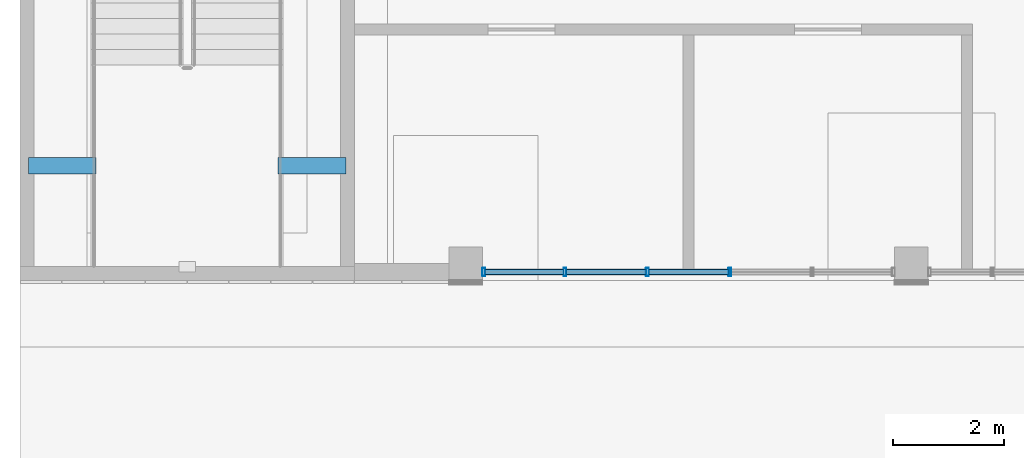
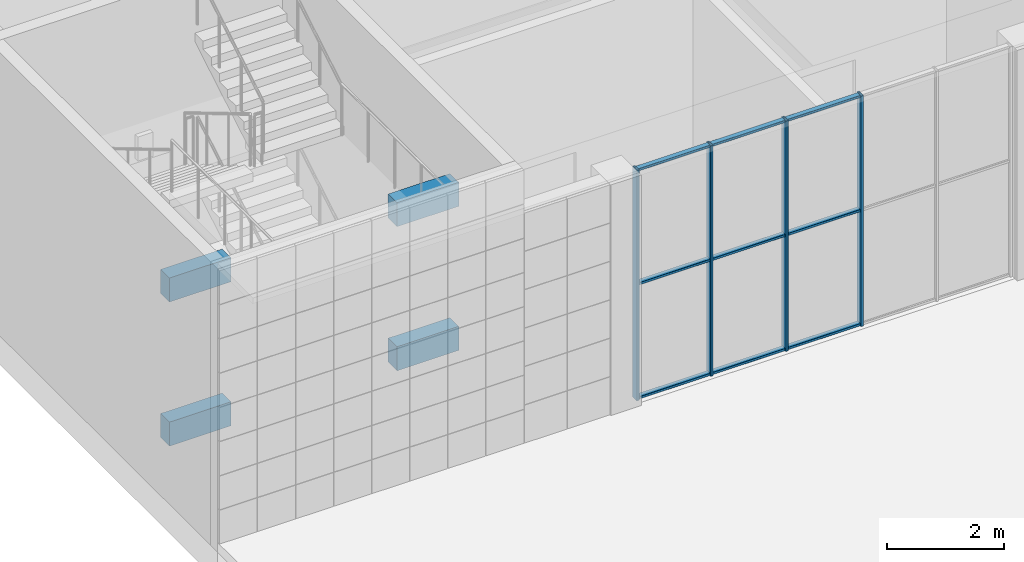
# One storey, part 11 of 125: 13 members, 4 beams, 1 element without a shape of its own.
"""IFC4 building model written with IfcOpenShell, lengths in metres."""

from ifc_helpers import new_model, si_unit, direction, frame, origin, origin_2d, place, context, subcontext, project, spatial, rectangle, hollow_rectangle, extrude, material, material_profile, profile_set, type_object, element, aggregate, save


model = new_model("IFC4")

# Units and contexts
model_context = context("Model", 3, precision=1e-05, world=origin(), true_north=direction((0.0, 1.0)))
body_context = subcontext(model_context, "Body", "Model", "MODEL_VIEW")
ifc_project = project(units=[si_unit("LENGTHUNIT", "METRE"), si_unit("AREAUNIT", "SQUARE_METRE"), si_unit("VOLUMEUNIT", "CUBIC_METRE"), si_unit("PLANEANGLEUNIT", "RADIAN"), si_unit("MASSUNIT", "GRAM", prefix="KILO")], contexts=[model_context])

# Site, building, storey
site_placement = place(None, origin())
site = spatial("IfcSite", under=ifc_project, at=site_placement, CompositionType="ELEMENT")
building_placement = place(site_placement, origin())
building = spatial("IfcBuilding", under=site, at=building_placement, Name="Sun Court Science Centre", CompositionType="ELEMENT")
storey_placement = place(building_placement, origin())
storey = spatial("IfcBuildingStorey", under=building, at=storey_placement, Name="L00", CompositionType="ELEMENT", Elevation=0.0)

# Curtain wall, members
ifc_material_1 = material(Name="Aluminium EN AW-6063 T6", Category="aluminium")
curtain_wall_type = type_object("IfcCurtainWallType", Name="Foyer curtain wall 1500", PredefinedType="NOTDEFINED", material=ifc_material_1)
curtain_wall_placement = place(storey_placement, origin())
curtain_wall = element("IfcCurtainWall", 1, at=curtain_wall_placement, inside=storey, type_object=curtain_wall_type, Name="Curtain wall V3 S L00 02", PredefinedType="NOTDEFINED")
ifc_material_2 = material(Name="Aluminium EN AW-6063 T6", Category="aluminium")
ifc_material_profile_1 = material_profile(ifc_material_2, hollow_rectangle(XDim=0.050048828125, YDim=0.14990234375, WallThickness=0.00390625, InnerFilletRadius=0.00390625, OuterFilletRadius=0.006103515625, at=origin_2d()), Name="AL 50x150x4")
ifc_profile_set_1 = profile_set([ifc_material_profile_1], Name="Aluminium EN AW-6063 T6")
member_type_1 = type_object("IfcMemberType", Name="Curtain wall mullion AL 50x150", PredefinedType="MULLION", material=ifc_profile_set_1)
member_1_placement = place(storey_placement, frame((8.324951171875, 40.14990234375, 0.0), z_axis=(0.0, 0.0, 1.0), x_axis=(-1.0, 0.0, 0.0)))
member_1 = element("IfcMember", 2, at=member_1_placement, type_object=member_type_1, Name="CW1-04 mullion 6", PredefinedType="MULLION", context=body_context, shape_type="SweptSolid", body=[
    extrude(hollow_rectangle(XDim=0.050048828125, YDim=0.14990234375, WallThickness=0.00390625, InnerFilletRadius=0.00390625, OuterFilletRadius=0.006103515625, at=origin_2d()), origin(), (0.0, 0.0, 1.0), 4.800048828125),
])
member_2_placement = place(storey_placement, frame((9.780029296875, 40.14990234375, 0.0), z_axis=(0.0, 0.0, 1.0), x_axis=(-1.0, 0.0, 0.0)))
member_2 = element("IfcMember", 3, at=member_2_placement, type_object=member_type_1, Name="CW1-04 mullion 5", PredefinedType="MULLION", context=body_context, shape_type="SweptSolid", body=[
    extrude(hollow_rectangle(XDim=0.050048828125, YDim=0.14990234375, WallThickness=0.00390625, InnerFilletRadius=0.00390625, OuterFilletRadius=0.006103515625, at=origin_2d()), origin(), (0.0, 0.0, 1.0), 4.800048828125),
])
member_3_placement = place(storey_placement, frame((11.260009765625, 40.14990234375, 0.0), z_axis=(0.0, 0.0, 1.0), x_axis=(-1.0, 0.0, 0.0)))
member_3 = element("IfcMember", 4, at=member_3_placement, type_object=member_type_1, Name="CW1-04 mullion 4", PredefinedType="MULLION", context=body_context, shape_type="SweptSolid", body=[
    extrude(hollow_rectangle(XDim=0.050048828125, YDim=0.14990234375, WallThickness=0.00390625, InnerFilletRadius=0.00390625, OuterFilletRadius=0.006103515625, at=origin_2d()), origin(), (0.0, 0.0, 1.0), 4.800048828125),
])
member_4_placement = place(storey_placement, frame((12.739990234375, 40.14990234375, 0.0), z_axis=(0.0, 0.0, 1.0), x_axis=(-1.0, 0.0, 0.0)))
member_4 = element("IfcMember", 5, at=member_4_placement, type_object=member_type_1, Name="CW1-04 mullion 3", PredefinedType="MULLION", context=body_context, shape_type="SweptSolid", body=[
    extrude(hollow_rectangle(XDim=0.050048828125, YDim=0.14990234375, WallThickness=0.00390625, InnerFilletRadius=0.00390625, OuterFilletRadius=0.006103515625, at=origin_2d()), origin(), (0.0, 0.0, 1.0), 4.800048828125),
])
ifc_material_3 = material(Name="Aluminium EN AW-6063 T6", Category="aluminium")
ifc_material_profile_2 = material_profile(ifc_material_3, hollow_rectangle(XDim=0.050048828125, YDim=0.10009765625, WallThickness=0.00390625, InnerFilletRadius=0.00390625, OuterFilletRadius=0.006103515625, at=origin_2d()), Name="AL 50x100x4")
ifc_profile_set_2 = profile_set([ifc_material_profile_2], Name="Aluminium EN AW-6063 T6")
member_type_2 = type_object("IfcMemberType", Name="Curtain wall transom AL 50x100", PredefinedType="USERDEFINED", material=ifc_profile_set_2)
member_5_placement = place(storey_placement, frame((9.7548828125, 40.14990234375, 0.02490234375), z_axis=(-1.0, 0.0, 0.0), x_axis=(0.0, 0.0, 1.0)))
member_5 = element("IfcMember", 6, at=member_5_placement, type_object=member_type_2, Name="CW1-04 transom 5.1", ObjectType="TRANSOM", PredefinedType="USERDEFINED", context=body_context, shape_type="SweptSolid", body=[
    extrude(hollow_rectangle(XDim=0.050048828125, YDim=0.10009765625, WallThickness=0.00390625, InnerFilletRadius=0.00390625, OuterFilletRadius=0.006103515625, at=origin_2d()), origin(), (0.0, 0.0, 1.0), 1.40478515625),
])
member_6_placement = place(storey_placement, frame((11.235107421875, 40.14990234375, 0.02490234375), z_axis=(-1.0, 0.0, 0.0), x_axis=(0.0, 0.0, 1.0)))
member_6 = element("IfcMember", 7, at=member_6_placement, type_object=member_type_2, Name="CW1-04 transom 4.1", ObjectType="TRANSOM", PredefinedType="USERDEFINED", context=body_context, shape_type="SweptSolid", body=[
    extrude(hollow_rectangle(XDim=0.050048828125, YDim=0.10009765625, WallThickness=0.00390625, InnerFilletRadius=0.00390625, OuterFilletRadius=0.006103515625, at=origin_2d()), origin(), (0.0, 0.0, 1.0), 1.43017578125),
])
member_7_placement = place(storey_placement, frame((12.715087890625, 40.14990234375, 0.02490234375), z_axis=(-1.0, 0.0, 0.0), x_axis=(0.0, 0.0, 1.0)))
member_7 = element("IfcMember", 8, at=member_7_placement, type_object=member_type_2, Name="CW1-04 transom 3.1", ObjectType="TRANSOM", PredefinedType="USERDEFINED", context=body_context, shape_type="SweptSolid", body=[
    extrude(hollow_rectangle(XDim=0.050048828125, YDim=0.10009765625, WallThickness=0.00390625, InnerFilletRadius=0.00390625, OuterFilletRadius=0.006103515625, at=origin_2d()), origin(), (0.0, 0.0, 1.0), 1.43017578125),
])
member_8_placement = place(storey_placement, frame((9.7548828125, 40.14990234375, 2.39990234375), z_axis=(-1.0, 0.0, 0.0), x_axis=(0.0, 0.0, 1.0)))
member_8 = element("IfcMember", 9, at=member_8_placement, type_object=member_type_2, Name="CW1-04 transom 5.2", ObjectType="TRANSOM", PredefinedType="USERDEFINED", context=body_context, shape_type="SweptSolid", body=[
    extrude(hollow_rectangle(XDim=0.050048828125, YDim=0.10009765625, WallThickness=0.00390625, InnerFilletRadius=0.00390625, OuterFilletRadius=0.006103515625, at=origin_2d()), origin(), (0.0, 0.0, 1.0), 1.40478515625),
])
member_9_placement = place(storey_placement, frame((11.235107421875, 40.14990234375, 2.39990234375), z_axis=(-1.0, 0.0, 0.0), x_axis=(0.0, 0.0, 1.0)))
member_9 = element("IfcMember", 10, at=member_9_placement, type_object=member_type_2, Name="CW1-04 transom 4.2", ObjectType="TRANSOM", PredefinedType="USERDEFINED", context=body_context, shape_type="SweptSolid", body=[
    extrude(hollow_rectangle(XDim=0.050048828125, YDim=0.10009765625, WallThickness=0.00390625, InnerFilletRadius=0.00390625, OuterFilletRadius=0.006103515625, at=origin_2d()), origin(), (0.0, 0.0, 1.0), 1.43017578125),
])
member_10_placement = place(storey_placement, frame((12.715087890625, 40.14990234375, 2.39990234375), z_axis=(-1.0, 0.0, 0.0), x_axis=(0.0, 0.0, 1.0)))
member_10 = element("IfcMember", 11, at=member_10_placement, type_object=member_type_2, Name="CW1-04 transom 3.2", ObjectType="TRANSOM", PredefinedType="USERDEFINED", context=body_context, shape_type="SweptSolid", body=[
    extrude(hollow_rectangle(XDim=0.050048828125, YDim=0.10009765625, WallThickness=0.00390625, InnerFilletRadius=0.00390625, OuterFilletRadius=0.006103515625, at=origin_2d()), origin(), (0.0, 0.0, 1.0), 1.43017578125),
])
member_11_placement = place(storey_placement, frame((9.7548828125, 40.14990234375, 4.77490234375), z_axis=(-1.0, 0.0, 0.0), x_axis=(0.0, 0.0, 1.0)))
member_11 = element("IfcMember", 12, at=member_11_placement, type_object=member_type_2, Name="CW1-04 transom 5.3", ObjectType="TRANSOM", PredefinedType="USERDEFINED", context=body_context, shape_type="SweptSolid", body=[
    extrude(hollow_rectangle(XDim=0.050048828125, YDim=0.10009765625, WallThickness=0.00390625, InnerFilletRadius=0.00390625, OuterFilletRadius=0.006103515625, at=origin_2d()), origin(), (0.0, 0.0, 1.0), 1.40478515625),
])
member_12_placement = place(storey_placement, frame((11.235107421875, 40.14990234375, 4.77490234375), z_axis=(-1.0, 0.0, 0.0), x_axis=(0.0, 0.0, 1.0)))
member_12 = element("IfcMember", 13, at=member_12_placement, type_object=member_type_2, Name="CW1-04 transom 4.3", ObjectType="TRANSOM", PredefinedType="USERDEFINED", context=body_context, shape_type="SweptSolid", body=[
    extrude(hollow_rectangle(XDim=0.050048828125, YDim=0.10009765625, WallThickness=0.00390625, InnerFilletRadius=0.00390625, OuterFilletRadius=0.006103515625, at=origin_2d()), origin(), (0.0, 0.0, 1.0), 1.43017578125),
])
member_13_placement = place(storey_placement, frame((12.715087890625, 40.14990234375, 4.77490234375), z_axis=(-1.0, 0.0, 0.0), x_axis=(0.0, 0.0, 1.0)))
member_13 = element("IfcMember", 14, at=member_13_placement, type_object=member_type_2, Name="CW1-04 transom 3.3", ObjectType="TRANSOM", PredefinedType="USERDEFINED", context=body_context, shape_type="SweptSolid", body=[
    extrude(hollow_rectangle(XDim=0.050048828125, YDim=0.10009765625, WallThickness=0.00390625, InnerFilletRadius=0.00390625, OuterFilletRadius=0.006103515625, at=origin_2d()), origin(), (0.0, 0.0, 1.0), 1.43017578125),
])
aggregate(curtain_wall, [member_1, member_2, member_3, member_4, member_5, member_6, member_7, member_8, member_9, member_10, member_11, member_12, member_13])

# Beams
ifc_material_4 = material(Name="Concrete C25/30", Category="concrete")
ifc_material_profile_3 = material_profile(ifc_material_4, rectangle(XDim=0.300048828125, YDim=0.5, at=origin_2d()), Name="RC 300x500")
ifc_profile_set_3 = profile_set([ifc_material_profile_3], Name="Concrete C25/30")
beam_type = type_object("IfcBeamType", Name="RC landing trimmer 300x500", PredefinedType="BEAM", material=ifc_profile_set_3)
for number, where, z_axis, x_axis, name in (
    (15, (0.14990234375, 42.055908203125, 1.050048828125), (1.0, 0.0, 0.0), (0.0, 1.0, 0.0), "ST1 landing 1 trimmer beam 1"),
    (16, (5.85009765625, 42.055908203125, 1.050048828125), (-1.0, 0.0, 0.0), (0.0, -1.0, 0.0), "ST1 landing 1 trimmer beam 2"),
    (17, (0.14990234375, 42.055908203125, 4.050048828125), (1.0, 0.0, 0.0), (0.0, 1.0, 0.0), "ST1 landing 3 trimmer beam 7"),
    (18, (5.85009765625, 42.055908203125, 4.050048828125), (-1.0, 0.0, 0.0), (0.0, -1.0, 0.0), "ST1 landing 3 trimmer beam 8"),
):
    element("IfcBeam", number, at=place(storey_placement, frame(where, z_axis=z_axis, x_axis=x_axis)), inside=storey, type_object=beam_type, Name=name, PredefinedType="BEAM", context=body_context, shape_type="SweptSolid", body=[
        extrude(rectangle(XDim=0.300048828125, YDim=0.5, at=origin_2d()), origin(), (0.0, 0.0, 1.0), 1.217041015625),
    ])

save(model, "model.ifc")
